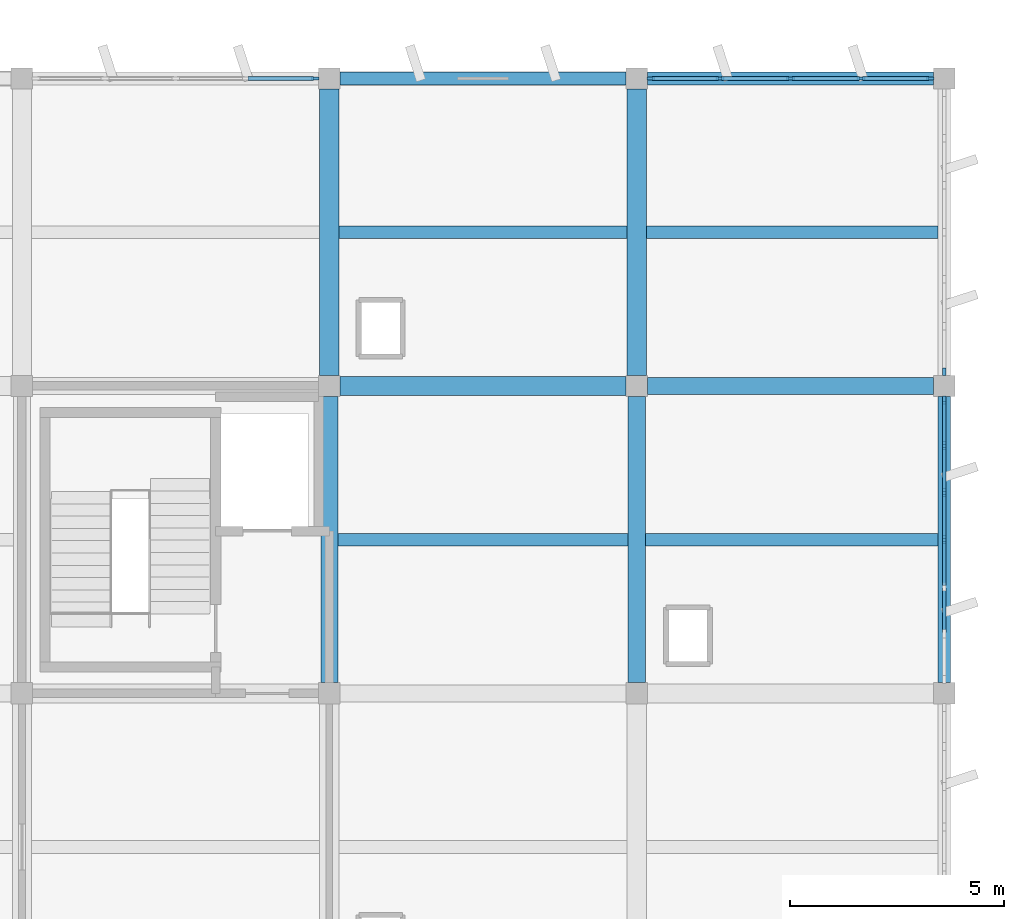
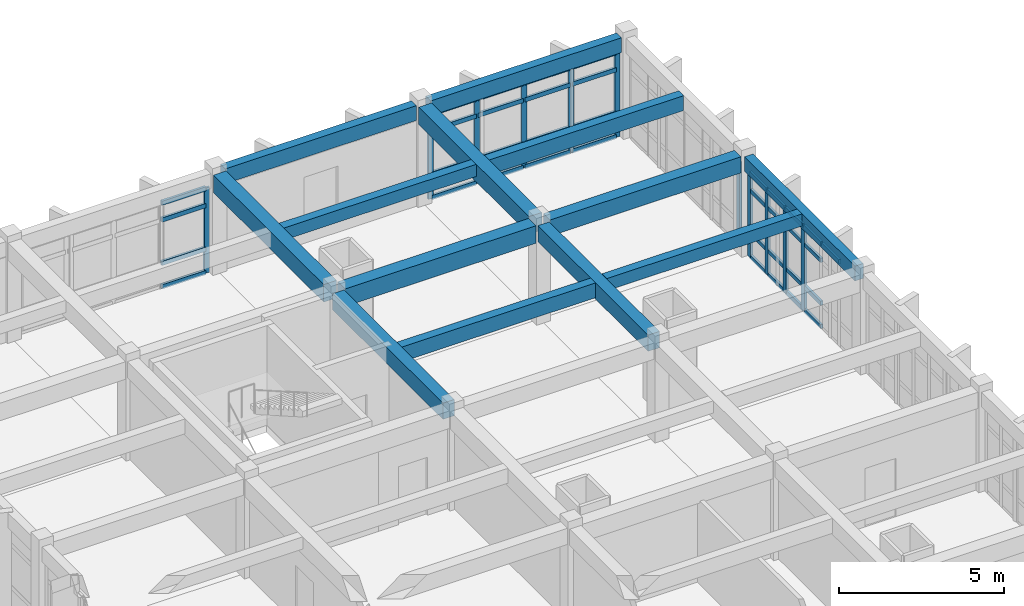
# One storey, part 19 of 40: 48 members, 13 beams, 4 elements without a shape of their own.
"""IFC4 building model written with IfcOpenShell, lengths in metres."""

from ifc_helpers import new_model, si_unit, direction, frame, origin, origin_2d, place, context, subcontext, project, spatial, rectangle, extrude, material, layer, layer_set, material_profile, profile_set, type_object, element, aggregate, save


model = new_model("IFC4")

# Units and contexts
model_context = context("Model", 3, precision=1e-05, world=origin(), true_north=direction((0.0, 1.0)))
body_context = subcontext(model_context, "Body", "Model", "MODEL_VIEW")
ifc_project = project(units=[si_unit("LENGTHUNIT", "METRE"), si_unit("AREAUNIT", "SQUARE_METRE"), si_unit("VOLUMEUNIT", "CUBIC_METRE"), si_unit("PLANEANGLEUNIT", "RADIAN"), si_unit("MASSUNIT", "GRAM", prefix="KILO")], contexts=[model_context])

# Site, building, storey
site_placement = place(None, origin())
site = spatial("IfcSite", under=ifc_project, at=site_placement, CompositionType="ELEMENT")
building_placement = place(site_placement, origin())
building = spatial("IfcBuilding", under=site, at=building_placement, Name="Kavelor Marine Aquarium", CompositionType="ELEMENT")
storey_placement = place(building_placement, frame((0.0, 0.0, 17.639892578125)))
storey = spatial("IfcBuildingStorey", under=building, at=storey_placement, Name="L04", CompositionType="ELEMENT", Elevation=17.639892578125)

# Beams
ifc_material_1 = material(Name="Concrete C40/50", Category="concrete")
ifc_material_profile_1 = material_profile(ifc_material_1, rectangle(XDim=0.449951171875, YDim=0.64990234375, at=origin_2d()), Name="RC-BM 450x650")
ifc_profile_set_1 = profile_set([ifc_material_profile_1], Name="Concrete C40/50")
beam_type_1 = type_object("IfcBeamType", Name="BM-B3", PredefinedType="BEAM", material=ifc_profile_set_1)
for number, where, z_axis, x_axis, name in (
    (1, (133.050048828125, 103.60009765625, 3.355224609375), (1.0, 0.0, 0.0), (0.0, 1.0, 0.0), "bm:x:L04:L05:18_14"),
    (2, (132.800048828125, 103.85009765625, 3.39501953125), (0.0, 1.0, 0.0), (-1.0, 0.0, 0.0), "bm:y:L04:L05:18_14"),
    (3, (140.0, 103.85009765625, 3.39501953125), (0.0, 1.0, 0.0), (-1.0, 0.0, 0.0), "bm:y:L04:L05:19_14"),
):
    element("IfcBeam", number, at=place(storey_placement, frame(where, z_axis=z_axis, x_axis=x_axis)), inside=storey, type_object=beam_type_1, Name=name, PredefinedType="BEAM", context=body_context, shape_type="SweptSolid", body=[
        extrude(rectangle(XDim=0.449951171875, YDim=0.64990234375, at=origin_2d()), origin(), (0.0, 0.0, 1.0), 6.699951171875),
    ])
ifc_material_2 = material(Name="Concrete C40/50", Category="concrete")
ifc_material_profile_2 = material_profile(ifc_material_2, rectangle(XDim=0.39990234375, YDim=0.60009765625, at=origin_2d()), Name="RC-BM 400x600")
ifc_profile_set_2 = profile_set([ifc_material_profile_2], Name="Concrete C40/50")
beam_type_2 = type_object("IfcBeamType", Name="BM-B4", PredefinedType="BEAM", material=ifc_profile_set_2)
beam_1_placement = place(storey_placement, frame((140.25, 103.60009765625, 3.400146484375), z_axis=(1.0, 0.0, 0.0), x_axis=(0.0, 1.0, 0.0)))
element("IfcBeam", 4, at=beam_1_placement, inside=storey, type_object=beam_type_2, Name="bm:x:L04:L05:19_14", PredefinedType="BEAM", context=body_context, shape_type="SweptSolid", body=[
    extrude(rectangle(XDim=0.39990234375, YDim=0.60009765625, at=origin_2d()), origin(), (0.0, 0.0, 1.0), 6.699951171875),
])
for number, where, z_axis, x_axis, name in (
    (5, (132.800048828125, 96.64990234375, 3.380126953125), (0.0, 1.0, 0.0), (-1.0, 0.0, 0.0), "bm:y:L04:L05:18_13"),
    (6, (140.0, 96.64990234375, 3.380126953125), (0.0, 1.0, 0.0), (-1.0, 0.0, 0.0), "bm:y:L04:L05:19_13"),
):
    element("IfcBeam", number, at=place(storey_placement, frame(where, z_axis=z_axis, x_axis=x_axis)), inside=storey, type_object=beam_type_2, Name=name, PredefinedType="BEAM", context=body_context, shape_type="SweptSolid", body=[
        extrude(rectangle(XDim=0.39990234375, YDim=0.60009765625, at=origin_2d()), origin(), (0.0, 0.0, 1.0), 6.7001953125),
    ])
ifc_material_3 = material(Name="Concrete C40/50", Category="concrete")
ifc_material_profile_3 = material_profile(ifc_material_3, rectangle(XDim=0.300048828125, YDim=0.449951171875, at=origin_2d()), Name="RC-JS 300x450")
ifc_profile_set_3 = profile_set([ifc_material_profile_3], Name="Concrete C40/50")
beam_type_3 = type_object("IfcBeamType", Name="BM-JS1", PredefinedType="JOIST", material=ifc_profile_set_3)
beam_2_placement = place(storey_placement, frame((133.02490234375, 107.199951171875, 3.4951171875), z_axis=(1.0, 0.0, 0.0), x_axis=(0.0, 1.0, 0.0)))
element("IfcBeam", 7, at=beam_2_placement, inside=storey, type_object=beam_type_3, Name="js:L04:L05:18_14", PredefinedType="JOIST", context=body_context, shape_type="SweptSolid", body=[
    extrude(rectangle(XDim=0.300048828125, YDim=0.449951171875, at=origin_2d()), origin(), (0.0, 0.0, 1.0), 6.75),
])
beam_3_placement = place(storey_placement, frame((140.199951171875, 100.0, 3.47509765625), z_axis=(1.0, 0.0, 0.0), x_axis=(0.0, 1.0, 0.0)))
element("IfcBeam", 8, at=beam_3_placement, inside=storey, type_object=beam_type_3, Name="js:L04:L05:19_13", PredefinedType="JOIST", context=body_context, shape_type="SweptSolid", body=[
    extrude(rectangle(XDim=0.300048828125, YDim=0.449951171875, at=origin_2d()), origin(), (0.0, 0.0, 1.0), 6.85009765625),
])
ifc_material_4 = material(Name="Concrete C40/50", Category="concrete")
ifc_material_profile_4 = material_profile(ifc_material_4, rectangle(XDim=0.300048828125, YDim=0.550048828125, at=origin_2d()), Name="RC-JS 300x550")
ifc_profile_set_4 = profile_set([ifc_material_profile_4], Name="Concrete C40/50")
beam_type_4 = type_object("IfcBeamType", Name="BM-JS2", PredefinedType="JOIST", material=ifc_profile_set_4)
beam_4_placement = place(storey_placement, frame((133.0, 100.0, 3.405029296875), z_axis=(1.0, 0.0, 0.0), x_axis=(0.0, 1.0, 0.0)))
element("IfcBeam", 9, at=beam_4_placement, inside=storey, type_object=beam_type_4, Name="js:L04:L05:18_13", PredefinedType="JOIST", context=body_context, shape_type="SweptSolid", body=[
    extrude(rectangle(XDim=0.300048828125, YDim=0.550048828125, at=origin_2d()), origin(), (0.0, 0.0, 1.0), 6.800048828125),
])
beam_5_placement = place(storey_placement, frame((140.22509765625, 107.199951171875, 3.445068359375), z_axis=(1.0, 0.0, 0.0), x_axis=(0.0, 1.0, 0.0)))
element("IfcBeam", 10, at=beam_5_placement, inside=storey, type_object=beam_type_4, Name="js:L04:L05:19_14", PredefinedType="JOIST", context=body_context, shape_type="SweptSolid", body=[
    extrude(rectangle(XDim=0.300048828125, YDim=0.550048828125, at=origin_2d()), origin(), (0.0, 0.0, 1.0), 6.824951171875),
])
ifc_material_5 = material(Name="Concrete C40/50", Category="concrete")
ifc_material_profile_5 = material_profile(ifc_material_5, rectangle(XDim=0.300048828125, YDim=0.550048828125, at=origin_2d()), Name="RC-SP 300x550")
ifc_profile_set_5 = profile_set([ifc_material_profile_5], Name="Concrete C40/50")
beam_type_5 = type_object("IfcBeamType", Name="BM-SP2", PredefinedType="SPANDREL", material=ifc_profile_set_5)
for number, where, z_axis, x_axis, name in (
    (11, (133.050048828125, 110.800048828125, 3.445068359375), (1.0, 0.0, 0.0), (0.0, 1.0, 0.0), "bm:x:L04:L05:18_15"),
    (12, (140.25, 110.800048828125, 3.445068359375), (1.0, 0.0, 0.0), (0.0, 1.0, 0.0), "bm:x:L04:L05:19_15"),
):
    element("IfcBeam", number, at=place(storey_placement, frame(where, z_axis=z_axis, x_axis=x_axis)), inside=storey, type_object=beam_type_5, Name=name, PredefinedType="SPANDREL", context=body_context, shape_type="SweptSolid", body=[
        extrude(rectangle(XDim=0.300048828125, YDim=0.550048828125, at=origin_2d()), origin(), (0.0, 0.0, 1.0), 6.699951171875),
    ])
beam_6_placement = place(storey_placement, frame((147.199951171875, 96.64990234375, 3.425048828125), z_axis=(0.0, 1.0, 0.0), x_axis=(-1.0, 0.0, 0.0)))
element("IfcBeam", 13, at=beam_6_placement, inside=storey, type_object=beam_type_5, Name="bm:y:L04:L05:20_13", PredefinedType="SPANDREL", context=body_context, shape_type="SweptSolid", body=[
    extrude(rectangle(XDim=0.300048828125, YDim=0.550048828125, at=origin_2d()), origin(), (0.0, 0.0, 1.0), 6.7001953125),
])

# Curtain wall, member
ifc_material_6 = material(Name="Thermally Broken Aluminium and Low-E Glass", Category="aluminium")
ifc_layer_1 = layer(ifc_material_6, 0.26806640625)
ifc_layer_set_1 = layer_set([ifc_layer_1], Name="CW-SYS16")
curtain_wall_type_1 = type_object("IfcCurtainWallType", Name="CW-SYS16", PredefinedType="USERDEFINED", material=ifc_layer_set_1)
curtain_wall_1_placement = place(storey_placement, origin())
curtain_wall_1 = element("IfcCurtainWall", 14, at=curtain_wall_1_placement, inside=storey, type_object=curtain_wall_type_1, Name="cw:x:L04:17_15", ObjectType="Curtain Wall", PredefinedType="USERDEFINED")
ifc_material_7 = material(Name="Anodised Aluminium Alloy 6063-T6", Category="aluminium")
ifc_material_profile_6 = material_profile(ifc_material_7, rectangle(XDim=0.074951171875, YDim=0.179931640625, at=origin_2d()), Name="CW-MUL 75x180")
ifc_profile_set_6 = profile_set([ifc_material_profile_6], Name="Anodised Aluminium Alloy 6063-T6")
member_type_1 = type_object("IfcMemberType", Name="CWM-1", PredefinedType="MULLION", material=ifc_profile_set_6)
member_1_placement = place(storey_placement, frame((132.467529296875, 110.800048828125, 0.0), z_axis=(0.0, 0.0, 1.0), x_axis=(0.0, 1.0, 0.0)))
member_1 = element("IfcMember", 15, at=member_1_placement, type_object=member_type_1, Name="CW16 mullion 5", PredefinedType="MULLION", context=body_context, shape_type="SweptSolid", body=[
    extrude(rectangle(XDim=0.074951171875, YDim=0.179931640625, at=origin_2d()), origin(), (0.0, 0.0, 1.0), 3.16015625),
])

ifc_material_8 = material(Name="Thermally Broken Aluminium and Low-E Glass", Category="aluminium")
ifc_layer_2 = layer(ifc_material_8, 0.172119140625)
ifc_layer_set_2 = layer_set([ifc_layer_2], Name="CW-SYS4")
curtain_wall_type_2 = type_object("IfcCurtainWallType", Name="CW-SYS4", PredefinedType="USERDEFINED", material=ifc_layer_set_2)
curtain_wall_2_placement = place(storey_placement, origin())
curtain_wall_2 = element("IfcCurtainWall", 16, at=curtain_wall_2_placement, inside=storey, type_object=curtain_wall_type_2, Name="cw:y:L04:20_14", ObjectType="Curtain Wall", PredefinedType="USERDEFINED")
member_2_placement = place(storey_placement, frame((147.199951171875, 103.9326171875, 0.0), z_axis=(0.0, 0.0, 1.0), x_axis=(-1.0, 0.0, 0.0)))
member_2 = element("IfcMember", 17, at=member_2_placement, type_object=member_type_1, Name="CW04 mullion 1", PredefinedType="MULLION", context=body_context, shape_type="SweptSolid", body=[
    extrude(rectangle(XDim=0.074951171875, YDim=0.179931640625, at=origin_2d()), origin(), (0.0, 0.0, 1.0), 3.16015625),
])
aggregate(curtain_wall_2, [member_2])

# Curtain wall, members
ifc_material_9 = material(Name="Thermally Broken Aluminium and Low-E Glass", Category="aluminium")
ifc_layer_3 = layer(ifc_material_9, 0.27587890625)
ifc_layer_set_3 = layer_set([ifc_layer_3], Name="CW-SYS17")
curtain_wall_type_3 = type_object("IfcCurtainWallType", Name="CW-SYS17", PredefinedType="USERDEFINED", material=ifc_layer_set_3)
curtain_wall_3_placement = place(storey_placement, origin())
curtain_wall_3 = element("IfcCurtainWall", 18, at=curtain_wall_3_placement, inside=storey, type_object=curtain_wall_type_3, Name="cw:x:L04:19_15", ObjectType="Curtain Wall", PredefinedType="USERDEFINED")
ifc_material_10 = material(Name="Anodised Aluminium Alloy 6063-T6", Category="aluminium")
ifc_material_profile_7 = material_profile(ifc_material_10, rectangle(XDim=0.080078125, YDim=0.18505859375, at=origin_2d()), Name="CW-MUL 80x185")
ifc_profile_set_7 = profile_set([ifc_material_profile_7], Name="Anodised Aluminium Alloy 6063-T6")
member_type_2 = type_object("IfcMemberType", Name="CWM-2", PredefinedType="MULLION", material=ifc_profile_set_7)
member_3_placement = place(storey_placement, frame((140.327392578125, 110.800048828125, 0.0), z_axis=(0.0, 0.0, 1.0), x_axis=(0.0, 1.0, 0.0)))
member_3 = element("IfcMember", 19, at=member_3_placement, type_object=member_type_2, Name="CW17 mullion 1", PredefinedType="MULLION", context=body_context, shape_type="SweptSolid", body=[
    extrude(rectangle(XDim=0.080078125, YDim=0.18505859375, at=origin_2d()), origin(), (0.0, 0.0, 1.0), 3.16015625),
])
member_4_placement = place(storey_placement, frame((141.947509765625, 110.800048828125, 0.0), z_axis=(0.0, 0.0, 1.0), x_axis=(0.0, 1.0, 0.0)))
member_4 = element("IfcMember", 20, at=member_4_placement, type_object=member_type_2, Name="CW17 mullion 2", PredefinedType="MULLION", context=body_context, shape_type="SweptSolid", body=[
    extrude(rectangle(XDim=0.080078125, YDim=0.18505859375, at=origin_2d()), origin(), (0.0, 0.0, 1.0), 3.16015625),
])
member_5_placement = place(storey_placement, frame((143.60009765625, 110.800048828125, 0.0), z_axis=(0.0, 0.0, 1.0), x_axis=(0.0, 1.0, 0.0)))
member_5 = element("IfcMember", 21, at=member_5_placement, type_object=member_type_2, Name="CW17 mullion 3", PredefinedType="MULLION", context=body_context, shape_type="SweptSolid", body=[
    extrude(rectangle(XDim=0.080078125, YDim=0.18505859375, at=origin_2d()), origin(), (0.0, 0.0, 1.0), 3.16015625),
])
member_6_placement = place(storey_placement, frame((145.25244140625, 110.800048828125, 0.0), z_axis=(0.0, 0.0, 1.0), x_axis=(0.0, 1.0, 0.0)))
member_6 = element("IfcMember", 22, at=member_6_placement, type_object=member_type_2, Name="CW17 mullion 4", PredefinedType="MULLION", context=body_context, shape_type="SweptSolid", body=[
    extrude(rectangle(XDim=0.080078125, YDim=0.18505859375, at=origin_2d()), origin(), (0.0, 0.0, 1.0), 3.16015625),
])
member_7_placement = place(storey_placement, frame((146.87255859375, 110.800048828125, 0.0), z_axis=(0.0, 0.0, 1.0), x_axis=(0.0, 1.0, 0.0)))
member_7 = element("IfcMember", 23, at=member_7_placement, type_object=member_type_2, Name="CW17 mullion 5", PredefinedType="MULLION", context=body_context, shape_type="SweptSolid", body=[
    extrude(rectangle(XDim=0.080078125, YDim=0.18505859375, at=origin_2d()), origin(), (0.0, 0.0, 1.0), 3.16015625),
])

ifc_material_11 = material(Name="Thermally Broken Aluminium and Low-E Glass", Category="aluminium")
ifc_layer_4 = layer(ifc_material_11, 0.1640625)
ifc_layer_set_4 = layer_set([ifc_layer_4], Name="CW-SYS3")
curtain_wall_type_4 = type_object("IfcCurtainWallType", Name="CW-SYS3", PredefinedType="USERDEFINED", material=ifc_layer_set_4)
curtain_wall_4_placement = place(storey_placement, origin())
curtain_wall_4 = element("IfcCurtainWall", 24, at=curtain_wall_4_placement, inside=storey, type_object=curtain_wall_type_4, Name="cw:y:L04:20_13", ObjectType="Curtain Wall", PredefinedType="USERDEFINED")
ifc_material_12 = material(Name="Anodised Aluminium Alloy 6063-T6", Category="aluminium")
ifc_material_profile_8 = material_profile(ifc_material_12, rectangle(XDim=0.0849609375, YDim=0.18994140625, at=origin_2d()), Name="CW-MUL 85x190")
ifc_profile_set_8 = profile_set([ifc_material_profile_8], Name="Anodised Aluminium Alloy 6063-T6")
member_type_3 = type_object("IfcMemberType", Name="CWM-3", PredefinedType="MULLION", material=ifc_profile_set_8)
member_8_placement = place(storey_placement, frame((147.199951171875, 100.0, 0.0), z_axis=(0.0, 0.0, 1.0), x_axis=(-1.0, 0.0, 0.0)))
member_8 = element("IfcMember", 25, at=member_8_placement, type_object=member_type_3, Name="CW03 mullion 4", PredefinedType="MULLION", context=body_context, shape_type="SweptSolid", body=[
    extrude(rectangle(XDim=0.0849609375, YDim=0.18994140625, at=origin_2d()), origin(), (0.0, 0.0, 1.0), 3.14013671875),
])
member_9_placement = place(storey_placement, frame((147.199951171875, 101.1015625, 0.0), z_axis=(0.0, 0.0, 1.0), x_axis=(-1.0, 0.0, 0.0)))
member_9 = element("IfcMember", 26, at=member_9_placement, type_object=member_type_3, Name="CW03 mullion 5", PredefinedType="MULLION", context=body_context, shape_type="SweptSolid", body=[
    extrude(rectangle(XDim=0.0849609375, YDim=0.18994140625, at=origin_2d()), origin(), (0.0, 0.0, 1.0), 3.14013671875),
])
member_10_placement = place(storey_placement, frame((147.199951171875, 102.203369140625, 0.0), z_axis=(0.0, 0.0, 1.0), x_axis=(-1.0, 0.0, 0.0)))
member_10 = element("IfcMember", 27, at=member_10_placement, type_object=member_type_3, Name="CW03 mullion 6", PredefinedType="MULLION", context=body_context, shape_type="SweptSolid", body=[
    extrude(rectangle(XDim=0.0849609375, YDim=0.18994140625, at=origin_2d()), origin(), (0.0, 0.0, 1.0), 3.14013671875),
])
member_11_placement = place(storey_placement, frame((147.199951171875, 103.27490234375, 0.0), z_axis=(0.0, 0.0, 1.0), x_axis=(-1.0, 0.0, 0.0)))
member_11 = element("IfcMember", 28, at=member_11_placement, type_object=member_type_3, Name="CW03 mullion 7", PredefinedType="MULLION", context=body_context, shape_type="SweptSolid", body=[
    extrude(rectangle(XDim=0.0849609375, YDim=0.18994140625, at=origin_2d()), origin(), (0.0, 0.0, 1.0), 3.14013671875),
])
ifc_material_13 = material(Name="Anodised Aluminium Alloy 6063-T6", Category="aluminium")
ifc_material_profile_9 = material_profile(ifc_material_13, rectangle(XDim=0.080078125, YDim=0.155029296875, at=origin_2d()), Name="CW-TRN 80x155")
ifc_profile_set_9 = profile_set([ifc_material_profile_9], Name="Anodised Aluminium Alloy 6063-T6")
member_type_4 = type_object("IfcMemberType", Name="CWT-2", PredefinedType="USERDEFINED", material=ifc_profile_set_9)
member_12_placement = place(storey_placement, frame((147.199951171875, 97.82666015625, 3.107666015625), z_axis=(0.0, 1.0, 0.0), x_axis=(-1.0, 0.0, 0.0)))
member_12 = element("IfcMember", 29, at=member_12_placement, type_object=member_type_4, Name="CW03 transom 2.4", ObjectType="TRANSOM", PredefinedType="USERDEFINED", context=body_context, shape_type="SweptSolid", body=[
    extrude(rectangle(XDim=0.080078125, YDim=0.155029296875, at=origin_2d()), origin(), (0.0, 0.0, 1.0), 1.041748046875),
])
member_13_placement = place(storey_placement, frame((147.199951171875, 98.92822265625, 0.03271484375), z_axis=(0.0, 1.0, 0.0), x_axis=(-1.0, 0.0, 0.0)))
member_13 = element("IfcMember", 30, at=member_13_placement, type_object=member_type_4, Name="CW03 transom 3.1", ObjectType="TRANSOM", PredefinedType="USERDEFINED", context=body_context, shape_type="SweptSolid", body=[
    extrude(rectangle(XDim=0.080078125, YDim=0.155029296875, at=origin_2d()), origin(), (0.0, 0.0, 1.0), 1.041748046875),
])
member_14_placement = place(storey_placement, frame((147.199951171875, 98.92822265625, 0.900146484375), z_axis=(0.0, 1.0, 0.0), x_axis=(-1.0, 0.0, 0.0)))
member_14 = element("IfcMember", 31, at=member_14_placement, type_object=member_type_4, Name="CW03 transom 3.2", ObjectType="TRANSOM", PredefinedType="USERDEFINED", context=body_context, shape_type="SweptSolid", body=[
    extrude(rectangle(XDim=0.080078125, YDim=0.155029296875, at=origin_2d()), origin(), (0.0, 0.0, 1.0), 1.041748046875),
])
member_15_placement = place(storey_placement, frame((147.199951171875, 98.92822265625, 2.489990234375), z_axis=(0.0, 1.0, 0.0), x_axis=(-1.0, 0.0, 0.0)))
member_15 = element("IfcMember", 32, at=member_15_placement, type_object=member_type_4, Name="CW03 transom 3.3", ObjectType="TRANSOM", PredefinedType="USERDEFINED", context=body_context, shape_type="SweptSolid", body=[
    extrude(rectangle(XDim=0.080078125, YDim=0.155029296875, at=origin_2d()), origin(), (0.0, 0.0, 1.0), 1.041748046875),
])
member_16_placement = place(storey_placement, frame((147.199951171875, 98.92822265625, 3.107666015625), z_axis=(0.0, 1.0, 0.0), x_axis=(-1.0, 0.0, 0.0)))
member_16 = element("IfcMember", 33, at=member_16_placement, type_object=member_type_4, Name="CW03 transom 3.4", ObjectType="TRANSOM", PredefinedType="USERDEFINED", context=body_context, shape_type="SweptSolid", body=[
    extrude(rectangle(XDim=0.080078125, YDim=0.155029296875, at=origin_2d()), origin(), (0.0, 0.0, 1.0), 1.041748046875),
])
member_17_placement = place(storey_placement, frame((147.199951171875, 100.030029296875, 0.03271484375), z_axis=(0.0, 1.0, 0.0), x_axis=(-1.0, 0.0, 0.0)))
member_17 = element("IfcMember", 34, at=member_17_placement, type_object=member_type_4, Name="CW03 transom 4.1", ObjectType="TRANSOM", PredefinedType="USERDEFINED", context=body_context, shape_type="SweptSolid", body=[
    extrude(rectangle(XDim=0.080078125, YDim=0.155029296875, at=origin_2d()), origin(), (0.0, 0.0, 1.0), 1.041748046875),
])
member_18_placement = place(storey_placement, frame((147.199951171875, 100.030029296875, 0.900146484375), z_axis=(0.0, 1.0, 0.0), x_axis=(-1.0, 0.0, 0.0)))
member_18 = element("IfcMember", 35, at=member_18_placement, type_object=member_type_4, Name="CW03 transom 4.2", ObjectType="TRANSOM", PredefinedType="USERDEFINED", context=body_context, shape_type="SweptSolid", body=[
    extrude(rectangle(XDim=0.080078125, YDim=0.155029296875, at=origin_2d()), origin(), (0.0, 0.0, 1.0), 1.041748046875),
])
member_19_placement = place(storey_placement, frame((147.199951171875, 100.030029296875, 2.489990234375), z_axis=(0.0, 1.0, 0.0), x_axis=(-1.0, 0.0, 0.0)))
member_19 = element("IfcMember", 36, at=member_19_placement, type_object=member_type_4, Name="CW03 transom 4.3", ObjectType="TRANSOM", PredefinedType="USERDEFINED", context=body_context, shape_type="SweptSolid", body=[
    extrude(rectangle(XDim=0.080078125, YDim=0.155029296875, at=origin_2d()), origin(), (0.0, 0.0, 1.0), 1.041748046875),
])
member_20_placement = place(storey_placement, frame((147.199951171875, 100.030029296875, 3.107666015625), z_axis=(0.0, 1.0, 0.0), x_axis=(-1.0, 0.0, 0.0)))
member_20 = element("IfcMember", 37, at=member_20_placement, type_object=member_type_4, Name="CW03 transom 4.4", ObjectType="TRANSOM", PredefinedType="USERDEFINED", context=body_context, shape_type="SweptSolid", body=[
    extrude(rectangle(XDim=0.080078125, YDim=0.155029296875, at=origin_2d()), origin(), (0.0, 0.0, 1.0), 1.041748046875),
])
member_21_placement = place(storey_placement, frame((147.199951171875, 101.131591796875, 0.03271484375), z_axis=(0.0, 1.0, 0.0), x_axis=(-1.0, 0.0, 0.0)))
member_21 = element("IfcMember", 38, at=member_21_placement, type_object=member_type_4, Name="CW03 transom 5.1", ObjectType="TRANSOM", PredefinedType="USERDEFINED", context=body_context, shape_type="SweptSolid", body=[
    extrude(rectangle(XDim=0.080078125, YDim=0.155029296875, at=origin_2d()), origin(), (0.0, 0.0, 1.0), 1.041748046875),
])
member_22_placement = place(storey_placement, frame((147.199951171875, 101.131591796875, 0.900146484375), z_axis=(0.0, 1.0, 0.0), x_axis=(-1.0, 0.0, 0.0)))
member_22 = element("IfcMember", 39, at=member_22_placement, type_object=member_type_4, Name="CW03 transom 5.2", ObjectType="TRANSOM", PredefinedType="USERDEFINED", context=body_context, shape_type="SweptSolid", body=[
    extrude(rectangle(XDim=0.080078125, YDim=0.155029296875, at=origin_2d()), origin(), (0.0, 0.0, 1.0), 1.041748046875),
])
member_23_placement = place(storey_placement, frame((147.199951171875, 101.131591796875, 2.489990234375), z_axis=(0.0, 1.0, 0.0), x_axis=(-1.0, 0.0, 0.0)))
member_23 = element("IfcMember", 40, at=member_23_placement, type_object=member_type_4, Name="CW03 transom 5.3", ObjectType="TRANSOM", PredefinedType="USERDEFINED", context=body_context, shape_type="SweptSolid", body=[
    extrude(rectangle(XDim=0.080078125, YDim=0.155029296875, at=origin_2d()), origin(), (0.0, 0.0, 1.0), 1.041748046875),
])
member_24_placement = place(storey_placement, frame((147.199951171875, 101.131591796875, 3.107666015625), z_axis=(0.0, 1.0, 0.0), x_axis=(-1.0, 0.0, 0.0)))
member_24 = element("IfcMember", 41, at=member_24_placement, type_object=member_type_4, Name="CW03 transom 5.4", ObjectType="TRANSOM", PredefinedType="USERDEFINED", context=body_context, shape_type="SweptSolid", body=[
    extrude(rectangle(XDim=0.080078125, YDim=0.155029296875, at=origin_2d()), origin(), (0.0, 0.0, 1.0), 1.041748046875),
])
member_25_placement = place(storey_placement, frame((147.199951171875, 102.2333984375, 0.03271484375), z_axis=(0.0, 1.0, 0.0), x_axis=(-1.0, 0.0, 0.0)))
member_25 = element("IfcMember", 42, at=member_25_placement, type_object=member_type_4, Name="CW03 transom 6.1", ObjectType="TRANSOM", PredefinedType="USERDEFINED", context=body_context, shape_type="SweptSolid", body=[
    extrude(rectangle(XDim=0.080078125, YDim=0.155029296875, at=origin_2d()), origin(), (0.0, 0.0, 1.0), 1.01171875),
])
member_26_placement = place(storey_placement, frame((147.199951171875, 102.2333984375, 0.900146484375), z_axis=(0.0, 1.0, 0.0), x_axis=(-1.0, 0.0, 0.0)))
member_26 = element("IfcMember", 43, at=member_26_placement, type_object=member_type_4, Name="CW03 transom 6.2", ObjectType="TRANSOM", PredefinedType="USERDEFINED", context=body_context, shape_type="SweptSolid", body=[
    extrude(rectangle(XDim=0.080078125, YDim=0.155029296875, at=origin_2d()), origin(), (0.0, 0.0, 1.0), 1.01171875),
])
member_27_placement = place(storey_placement, frame((147.199951171875, 102.2333984375, 2.489990234375), z_axis=(0.0, 1.0, 0.0), x_axis=(-1.0, 0.0, 0.0)))
member_27 = element("IfcMember", 44, at=member_27_placement, type_object=member_type_4, Name="CW03 transom 6.3", ObjectType="TRANSOM", PredefinedType="USERDEFINED", context=body_context, shape_type="SweptSolid", body=[
    extrude(rectangle(XDim=0.080078125, YDim=0.155029296875, at=origin_2d()), origin(), (0.0, 0.0, 1.0), 1.01171875),
])
member_28_placement = place(storey_placement, frame((147.199951171875, 102.2333984375, 3.107666015625), z_axis=(0.0, 1.0, 0.0), x_axis=(-1.0, 0.0, 0.0)))
member_28 = element("IfcMember", 45, at=member_28_placement, type_object=member_type_4, Name="CW03 transom 6.4", ObjectType="TRANSOM", PredefinedType="USERDEFINED", context=body_context, shape_type="SweptSolid", body=[
    extrude(rectangle(XDim=0.080078125, YDim=0.155029296875, at=origin_2d()), origin(), (0.0, 0.0, 1.0), 1.01171875),
])
aggregate(curtain_wall_4, [member_8, member_9, member_10, member_11, member_12, member_13, member_14, member_15, member_16, member_17, member_18, member_19, member_20, member_21, member_22, member_23, member_24, member_25, member_26, member_27, member_28])

# Member
ifc_material_14 = material(Name="Anodised Aluminium Alloy 6063-T6", Category="aluminium")
ifc_material_profile_10 = material_profile(ifc_material_14, rectangle(XDim=0.0849609375, YDim=0.159912109375, at=origin_2d()), Name="CW-TRN 85x160")
ifc_profile_set_10 = profile_set([ifc_material_profile_10], Name="Anodised Aluminium Alloy 6063-T6")
member_type_5 = type_object("IfcMemberType", Name="CWT-3", PredefinedType="USERDEFINED", material=ifc_profile_set_10)
member_29_placement = place(storey_placement, frame((130.889892578125, 110.800048828125, 0.030029296875), z_axis=(1.0, 0.0, 0.0), x_axis=(0.0, 1.0, 0.0)))
member_29 = element("IfcMember", 46, at=member_29_placement, type_object=member_type_5, Name="CW16 transom 4.1", ObjectType="TRANSOM", PredefinedType="USERDEFINED", context=body_context, shape_type="SweptSolid", body=[
    extrude(rectangle(XDim=0.0849609375, YDim=0.159912109375, at=origin_2d()), origin(), (0.0, 0.0, 1.0), 1.5400390625),
])

member_30_placement = place(storey_placement, frame((130.889892578125, 110.800048828125, 0.900146484375), z_axis=(1.0, 0.0, 0.0), x_axis=(0.0, 1.0, 0.0)))
member_30 = element("IfcMember", 47, at=member_30_placement, type_object=member_type_5, Name="CW16 transom 4.2", ObjectType="TRANSOM", PredefinedType="USERDEFINED", context=body_context, shape_type="SweptSolid", body=[
    extrude(rectangle(XDim=0.0849609375, YDim=0.159912109375, at=origin_2d()), origin(), (0.0, 0.0, 1.0), 1.5400390625),
])

member_31_placement = place(storey_placement, frame((130.889892578125, 110.800048828125, 2.510009765625), z_axis=(1.0, 0.0, 0.0), x_axis=(0.0, 1.0, 0.0)))
member_31 = element("IfcMember", 48, at=member_31_placement, type_object=member_type_5, Name="CW16 transom 4.3", ObjectType="TRANSOM", PredefinedType="USERDEFINED", context=body_context, shape_type="SweptSolid", body=[
    extrude(rectangle(XDim=0.0849609375, YDim=0.159912109375, at=origin_2d()), origin(), (0.0, 0.0, 1.0), 1.5400390625),
])

member_32_placement = place(storey_placement, frame((130.889892578125, 110.800048828125, 3.130126953125), z_axis=(1.0, 0.0, 0.0), x_axis=(0.0, 1.0, 0.0)))
member_32 = element("IfcMember", 49, at=member_32_placement, type_object=member_type_5, Name="CW16 transom 4.4", ObjectType="TRANSOM", PredefinedType="USERDEFINED", context=body_context, shape_type="SweptSolid", body=[
    extrude(rectangle(XDim=0.0849609375, YDim=0.159912109375, at=origin_2d()), origin(), (0.0, 0.0, 1.0), 1.5400390625),
])

aggregate(curtain_wall_1, [member_1, member_29, member_30, member_31, member_32])

member_33_placement = place(storey_placement, frame((140.360107421875, 110.800048828125, 0.030029296875), z_axis=(1.0, 0.0, 0.0), x_axis=(0.0, 1.0, 0.0)))
member_33 = element("IfcMember", 50, at=member_33_placement, type_object=member_type_5, Name="CW17 transom 1.1", ObjectType="TRANSOM", PredefinedType="USERDEFINED", context=body_context, shape_type="SweptSolid", body=[
    extrude(rectangle(XDim=0.0849609375, YDim=0.159912109375, at=origin_2d()), origin(), (0.0, 0.0, 1.0), 1.554931640625),
])

member_34_placement = place(storey_placement, frame((140.360107421875, 110.800048828125, 0.900146484375), z_axis=(1.0, 0.0, 0.0), x_axis=(0.0, 1.0, 0.0)))
member_34 = element("IfcMember", 51, at=member_34_placement, type_object=member_type_5, Name="CW17 transom 1.2", ObjectType="TRANSOM", PredefinedType="USERDEFINED", context=body_context, shape_type="SweptSolid", body=[
    extrude(rectangle(XDim=0.0849609375, YDim=0.159912109375, at=origin_2d()), origin(), (0.0, 0.0, 1.0), 1.554931640625),
])

member_35_placement = place(storey_placement, frame((140.360107421875, 110.800048828125, 2.510009765625), z_axis=(1.0, 0.0, 0.0), x_axis=(0.0, 1.0, 0.0)))
member_35 = element("IfcMember", 52, at=member_35_placement, type_object=member_type_5, Name="CW17 transom 1.3", ObjectType="TRANSOM", PredefinedType="USERDEFINED", context=body_context, shape_type="SweptSolid", body=[
    extrude(rectangle(XDim=0.0849609375, YDim=0.159912109375, at=origin_2d()), origin(), (0.0, 0.0, 1.0), 1.554931640625),
])

member_36_placement = place(storey_placement, frame((140.360107421875, 110.800048828125, 3.130126953125), z_axis=(1.0, 0.0, 0.0), x_axis=(0.0, 1.0, 0.0)))
member_36 = element("IfcMember", 53, at=member_36_placement, type_object=member_type_5, Name="CW17 transom 1.4", ObjectType="TRANSOM", PredefinedType="USERDEFINED", context=body_context, shape_type="SweptSolid", body=[
    extrude(rectangle(XDim=0.0849609375, YDim=0.159912109375, at=origin_2d()), origin(), (0.0, 0.0, 1.0), 1.554931640625),
])

member_37_placement = place(storey_placement, frame((141.97998046875, 110.800048828125, 0.030029296875), z_axis=(1.0, 0.0, 0.0), x_axis=(0.0, 1.0, 0.0)))
member_37 = element("IfcMember", 54, at=member_37_placement, type_object=member_type_5, Name="CW17 transom 2.1", ObjectType="TRANSOM", PredefinedType="USERDEFINED", context=body_context, shape_type="SweptSolid", body=[
    extrude(rectangle(XDim=0.0849609375, YDim=0.159912109375, at=origin_2d()), origin(), (0.0, 0.0, 1.0), 1.58740234375),
])

member_38_placement = place(storey_placement, frame((141.97998046875, 110.800048828125, 0.900146484375), z_axis=(1.0, 0.0, 0.0), x_axis=(0.0, 1.0, 0.0)))
member_38 = element("IfcMember", 55, at=member_38_placement, type_object=member_type_5, Name="CW17 transom 2.2", ObjectType="TRANSOM", PredefinedType="USERDEFINED", context=body_context, shape_type="SweptSolid", body=[
    extrude(rectangle(XDim=0.0849609375, YDim=0.159912109375, at=origin_2d()), origin(), (0.0, 0.0, 1.0), 1.58740234375),
])

member_39_placement = place(storey_placement, frame((141.97998046875, 110.800048828125, 2.510009765625), z_axis=(1.0, 0.0, 0.0), x_axis=(0.0, 1.0, 0.0)))
member_39 = element("IfcMember", 56, at=member_39_placement, type_object=member_type_5, Name="CW17 transom 2.3", ObjectType="TRANSOM", PredefinedType="USERDEFINED", context=body_context, shape_type="SweptSolid", body=[
    extrude(rectangle(XDim=0.0849609375, YDim=0.159912109375, at=origin_2d()), origin(), (0.0, 0.0, 1.0), 1.58740234375),
])

member_40_placement = place(storey_placement, frame((141.97998046875, 110.800048828125, 3.130126953125), z_axis=(1.0, 0.0, 0.0), x_axis=(0.0, 1.0, 0.0)))
member_40 = element("IfcMember", 57, at=member_40_placement, type_object=member_type_5, Name="CW17 transom 2.4", ObjectType="TRANSOM", PredefinedType="USERDEFINED", context=body_context, shape_type="SweptSolid", body=[
    extrude(rectangle(XDim=0.0849609375, YDim=0.159912109375, at=origin_2d()), origin(), (0.0, 0.0, 1.0), 1.58740234375),
])

member_41_placement = place(storey_placement, frame((143.632568359375, 110.800048828125, 0.030029296875), z_axis=(1.0, 0.0, 0.0), x_axis=(0.0, 1.0, 0.0)))
member_41 = element("IfcMember", 58, at=member_41_placement, type_object=member_type_5, Name="CW17 transom 3.1", ObjectType="TRANSOM", PredefinedType="USERDEFINED", context=body_context, shape_type="SweptSolid", body=[
    extrude(rectangle(XDim=0.0849609375, YDim=0.159912109375, at=origin_2d()), origin(), (0.0, 0.0, 1.0), 1.58740234375),
])

member_42_placement = place(storey_placement, frame((143.632568359375, 110.800048828125, 0.900146484375), z_axis=(1.0, 0.0, 0.0), x_axis=(0.0, 1.0, 0.0)))
member_42 = element("IfcMember", 59, at=member_42_placement, type_object=member_type_5, Name="CW17 transom 3.2", ObjectType="TRANSOM", PredefinedType="USERDEFINED", context=body_context, shape_type="SweptSolid", body=[
    extrude(rectangle(XDim=0.0849609375, YDim=0.159912109375, at=origin_2d()), origin(), (0.0, 0.0, 1.0), 1.58740234375),
])

member_43_placement = place(storey_placement, frame((143.632568359375, 110.800048828125, 2.510009765625), z_axis=(1.0, 0.0, 0.0), x_axis=(0.0, 1.0, 0.0)))
member_43 = element("IfcMember", 60, at=member_43_placement, type_object=member_type_5, Name="CW17 transom 3.3", ObjectType="TRANSOM", PredefinedType="USERDEFINED", context=body_context, shape_type="SweptSolid", body=[
    extrude(rectangle(XDim=0.0849609375, YDim=0.159912109375, at=origin_2d()), origin(), (0.0, 0.0, 1.0), 1.58740234375),
])

member_44_placement = place(storey_placement, frame((143.632568359375, 110.800048828125, 3.130126953125), z_axis=(1.0, 0.0, 0.0), x_axis=(0.0, 1.0, 0.0)))
member_44 = element("IfcMember", 61, at=member_44_placement, type_object=member_type_5, Name="CW17 transom 3.4", ObjectType="TRANSOM", PredefinedType="USERDEFINED", context=body_context, shape_type="SweptSolid", body=[
    extrude(rectangle(XDim=0.0849609375, YDim=0.159912109375, at=origin_2d()), origin(), (0.0, 0.0, 1.0), 1.58740234375),
])

member_45_placement = place(storey_placement, frame((145.284912109375, 110.800048828125, 0.030029296875), z_axis=(1.0, 0.0, 0.0), x_axis=(0.0, 1.0, 0.0)))
member_45 = element("IfcMember", 62, at=member_45_placement, type_object=member_type_5, Name="CW17 transom 4.1", ObjectType="TRANSOM", PredefinedType="USERDEFINED", context=body_context, shape_type="SweptSolid", body=[
    extrude(rectangle(XDim=0.0849609375, YDim=0.159912109375, at=origin_2d()), origin(), (0.0, 0.0, 1.0), 1.55517578125),
])

member_46_placement = place(storey_placement, frame((145.284912109375, 110.800048828125, 0.900146484375), z_axis=(1.0, 0.0, 0.0), x_axis=(0.0, 1.0, 0.0)))
member_46 = element("IfcMember", 63, at=member_46_placement, type_object=member_type_5, Name="CW17 transom 4.2", ObjectType="TRANSOM", PredefinedType="USERDEFINED", context=body_context, shape_type="SweptSolid", body=[
    extrude(rectangle(XDim=0.0849609375, YDim=0.159912109375, at=origin_2d()), origin(), (0.0, 0.0, 1.0), 1.55517578125),
])

member_47_placement = place(storey_placement, frame((145.284912109375, 110.800048828125, 2.510009765625), z_axis=(1.0, 0.0, 0.0), x_axis=(0.0, 1.0, 0.0)))
member_47 = element("IfcMember", 64, at=member_47_placement, type_object=member_type_5, Name="CW17 transom 4.3", ObjectType="TRANSOM", PredefinedType="USERDEFINED", context=body_context, shape_type="SweptSolid", body=[
    extrude(rectangle(XDim=0.0849609375, YDim=0.159912109375, at=origin_2d()), origin(), (0.0, 0.0, 1.0), 1.55517578125),
])

member_48_placement = place(storey_placement, frame((145.284912109375, 110.800048828125, 3.130126953125), z_axis=(1.0, 0.0, 0.0), x_axis=(0.0, 1.0, 0.0)))
member_48 = element("IfcMember", 65, at=member_48_placement, type_object=member_type_5, Name="CW17 transom 4.4", ObjectType="TRANSOM", PredefinedType="USERDEFINED", context=body_context, shape_type="SweptSolid", body=[
    extrude(rectangle(XDim=0.0849609375, YDim=0.159912109375, at=origin_2d()), origin(), (0.0, 0.0, 1.0), 1.55517578125),
])

aggregate(curtain_wall_3, [member_3, member_4, member_5, member_6, member_7, member_33, member_34, member_35, member_36, member_37, member_38, member_39, member_40, member_41, member_42, member_43, member_44, member_45, member_46, member_47, member_48])

save(model, "model.ifc")
